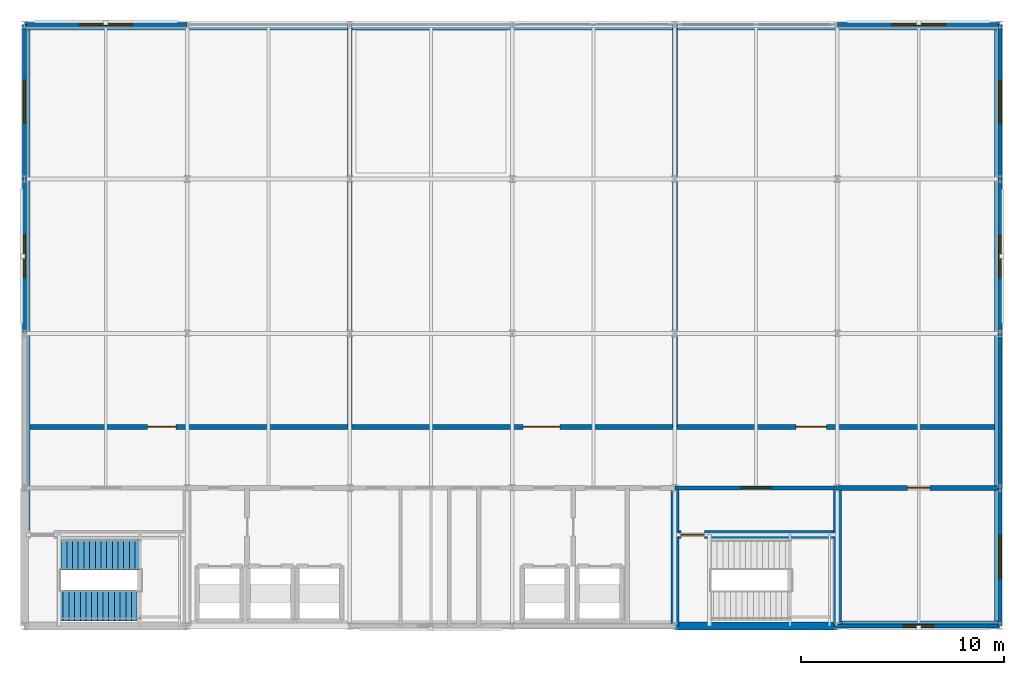
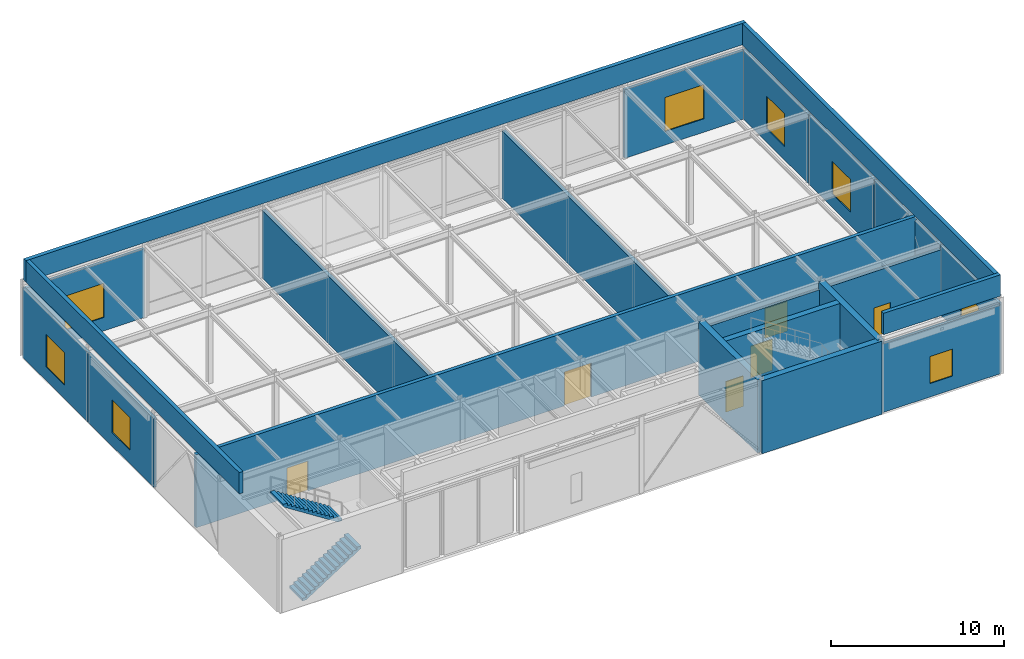
# One storey, part 10 of 12: 22 walls, 8 windows, 6 doors, 2 stair flights, 14 openings, 1 element without a shape of its own.
"""IFC4 building model written with IfcOpenShell, lengths in metres."""

from ifc_helpers import new_model, si_unit, direction, frame, frame_2d, origin, place, context, subcontext, project, spatial, polyline, rectangle, outline, extrude, material, layer, layer_set, type_object, element, fill, aggregate, save


model = new_model("IFC4")

# Units and contexts
model_context = context("Model", 3, precision=1e-05, world=origin(), true_north=direction((0.0, 1.0)))
body_context = subcontext(model_context, "Body", "Model", "MODEL_VIEW")
ifc_project = project(units=[si_unit("LENGTHUNIT", "METRE"), si_unit("AREAUNIT", "SQUARE_METRE"), si_unit("VOLUMEUNIT", "CUBIC_METRE"), si_unit("PLANEANGLEUNIT", "RADIAN"), si_unit("MASSUNIT", "GRAM", prefix="KILO")], contexts=[model_context])

# Site, building, storey
site_placement = place(None, origin())
site = spatial("IfcSite", under=ifc_project, at=site_placement, CompositionType="ELEMENT")
building_placement = place(site_placement, origin())
building = spatial("IfcBuilding", under=site, at=building_placement, Name="Shalkamar Park Central Library", CompositionType="ELEMENT")
storey_placement = place(building_placement, frame((0.0, 0.0, 72.300048828125)))
storey = spatial("IfcBuildingStorey", under=building, at=storey_placement, Name="L18", CompositionType="ELEMENT", Elevation=72.300048828125)

# Wall, opening, door
ifc_material_1 = material(Name="Reinforced fire-compartment masonry wall", Category="masonry")
ifc_layer_1 = layer(ifc_material_1, 0.239990234375)
ifc_layer_set_1 = layer_set([ifc_layer_1], Name="CompartmentWall_240")
wall_type_1 = type_object("IfcWallType", Name="Compartment Wall 240", PredefinedType="PARTITIONING", material=ifc_layer_set_1)
wall_1_placement = place(storey_placement, frame((205.0, 255.199951171875, 0.0), z_axis=(0.0, 0.0, 1.0), x_axis=(1.0, 0.0, 0.0)))
wall_1 = element("IfcWall", 1, at=wall_1_placement, inside=storey, type_object=wall_type_1, Name="Interior Partition WL-INT-L18-010", PredefinedType="PARTITIONING", context=body_context, shape_type="SweptSolid", body=[
    extrude(rectangle(XDim=8.0, YDim=0.239990234375, at=frame_2d((4.0, 0.0))), origin(), (0.0, 0.0, 1.0), 4.64794921875),
])
opening_1_placement = place(wall_1_placement, frame((3.449951171875, 0.0, 0.0)))
opening_1 = element("IfcOpeningElement", 2, at=opening_1_placement, cuts=wall_1, Name="Opening DR-L18-012", PredefinedType="OPENING", context=body_context, shape_type="SweptSolid", body=[
    extrude(rectangle(XDim=1.10009765625, YDim=2.10009765625, at=frame_2d((0.550048828125, 1.050048828125))), frame((0.0, 0.134765625, 0.0), z_axis=(0.0, -1.0, 0.0), x_axis=(1.0, 0.0, 0.0)), (0.0, 0.0, 1.0), 0.269775390625),
])
ifc_material_2 = material(Name="Steel S355", Category="steel")
door_type_1 = type_object("IfcDoorType", Name="Fire Door Single 1100x2100", OperationType="NOTDEFINED", PredefinedType="DOOR", material=ifc_material_2)
door_1_placement = place(opening_1_placement, frame((1.10009765625, 0.0, 0.0), z_axis=(0.0, 0.0, 1.0), x_axis=(-1.0, 0.0, 0.0)))
door_1 = element("IfcDoor", 3, at=door_1_placement, inside=storey, type_object=door_type_1, Name="L18 Smoke Extract Fan Room Door", OperationType="SINGLE_SWING_RIGHT", OverallHeight=2.10009765625, OverallWidth=1.10009765625, PredefinedType="DOOR", context=body_context, shape_type="SweptSolid", body=[
    extrude(rectangle(XDim=1.10009765625, YDim=2.10009765625, at=frame_2d((0.550048828125, 1.050048828125))), frame((0.0, 0.02490234375, 0.0), z_axis=(0.0, -1.0, 0.0), x_axis=(1.0, 0.0, 0.0)), (0.0, 0.0, 1.0), 0.050048828125),
])
fill(opening_1, door_1)

# Wall, openings, doors
wall_2_placement = place(storey_placement, frame((165.0, 258.199951171875, 0.0), z_axis=(0.0, 0.0, 1.0), x_axis=(1.0, 0.0, 0.0)))
wall_2 = element("IfcWall", 4, at=wall_2_placement, inside=storey, type_object=wall_type_1, Name="Interior Partition WL-INT-L18-011", PredefinedType="PARTITIONING", context=body_context, shape_type="SweptSolid", body=[
    extrude(rectangle(XDim=48.0, YDim=0.239990234375, at=frame_2d((24.0, 0.0))), origin(), (0.0, 0.0, 1.0), 5.14990234375),
])
opening_2_placement = place(wall_2_placement, frame((6.06005859375, 0.0, 0.0)))
opening_2 = element("IfcOpeningElement", 5, at=opening_2_placement, cuts=wall_2, Name="Opening DR-L18-013", PredefinedType="OPENING", context=body_context, shape_type="SweptSolid", body=[
    extrude(rectangle(XDim=1.39990234375, YDim=2.10009765625, at=frame_2d((0.699951171875, 1.050048828125))), frame((0.0, 0.134765625, 0.0), z_axis=(0.0, -1.0, 0.0), x_axis=(1.0, 0.0, 0.0)), (0.0, 0.0, 1.0), 0.269775390625),
])
opening_3_placement = place(wall_2_placement, frame((24.5400390625, 0.0, 0.0)))
opening_3 = element("IfcOpeningElement", 6, at=opening_3_placement, cuts=wall_2, Name="Opening DR-L18-014", PredefinedType="OPENING", context=body_context, shape_type="SweptSolid", body=[
    extrude(rectangle(XDim=1.800048828125, YDim=2.39990234375, at=frame_2d((0.89990234375, 1.199951171875))), frame((0.0, 0.134765625, 0.0), z_axis=(0.0, -1.0, 0.0), x_axis=(1.0, 0.0, 0.0)), (0.0, 0.0, 1.0), 0.269775390625),
])
opening_4_placement = place(wall_2_placement, frame((37.9599609375, 0.0, 0.0)))
opening_4 = element("IfcOpeningElement", 7, at=opening_4_placement, cuts=wall_2, Name="Opening DR-L18-015", PredefinedType="OPENING", context=body_context, shape_type="SweptSolid", body=[
    extrude(rectangle(XDim=1.5, YDim=2.10009765625, at=frame_2d((0.75, 1.050048828125))), frame((0.0, 0.134765625, 0.0), z_axis=(0.0, -1.0, 0.0), x_axis=(1.0, 0.0, 0.0)), (0.0, 0.0, 1.0), 0.269775390625),
])
door_type_2 = type_object("IfcDoorType", Name="Fire Door Double 1400x2100", OperationType="DOUBLE_DOOR_SINGLE_SWING", PredefinedType="DOOR", material=ifc_material_2)
door_2_placement = place(opening_2_placement, origin())
door_2 = element("IfcDoor", 8, at=door_2_placement, inside=storey, type_object=door_type_2, Name="National Digital Archive Vault Door", OperationType="DOUBLE_DOOR_SINGLE_SWING", OverallHeight=2.10009765625, OverallWidth=1.39990234375, PredefinedType="DOOR", context=body_context, shape_type="SweptSolid", body=[
    extrude(rectangle(XDim=1.39990234375, YDim=2.10009765625, at=frame_2d((0.699951171875, 1.050048828125))), frame((0.0, 0.02490234375, 0.0), z_axis=(0.0, -1.0, 0.0), x_axis=(1.0, 0.0, 0.0)), (0.0, 0.0, 1.0), 0.050048828125),
])
fill(opening_2, door_2)
door_type_3 = type_object("IfcDoorType", Name="Fire Door Double 1500x2100", OperationType="DOUBLE_DOOR_SINGLE_SWING", PredefinedType="DOOR", material=ifc_material_2)
door_3_placement = place(opening_4_placement, origin())
door_3 = element("IfcDoor", 9, at=door_3_placement, inside=storey, type_object=door_type_3, Name="Upper Mechanical Plant Room Door", OperationType="DOUBLE_DOOR_SINGLE_SWING", OverallHeight=2.10009765625, OverallWidth=1.5, PredefinedType="DOOR", context=body_context, shape_type="SweptSolid", body=[
    extrude(rectangle(XDim=1.5, YDim=2.10009765625, at=frame_2d((0.75, 1.050048828125))), frame((0.0, 0.02490234375, 0.0), z_axis=(0.0, -1.0, 0.0), x_axis=(1.0, 0.0, 0.0)), (0.0, 0.0, 1.0), 0.050048828125),
])
fill(opening_4, door_3)
door_type_4 = type_object("IfcDoorType", Name="Interior Door Double 1800x2400", OperationType="DOUBLE_DOOR_SINGLE_SWING", PredefinedType="DOOR", material=ifc_material_2)
door_4_placement = place(opening_3_placement, origin())
door_4 = element("IfcDoor", 10, at=door_4_placement, inside=storey, type_object=door_type_4, Name="Belvedere Reading Salon Portal", OperationType="DOUBLE_DOOR_SINGLE_SWING", OverallHeight=2.39990234375, OverallWidth=1.800048828125, PredefinedType="DOOR", context=body_context, shape_type="SweptSolid", body=[
    extrude(rectangle(XDim=1.800048828125, YDim=2.39990234375, at=frame_2d((0.89990234375, 1.199951171875))), frame((0.0, 0.02490234375, 0.0), z_axis=(0.0, -1.0, 0.0), x_axis=(1.0, 0.0, 0.0)), (0.0, 0.0, 1.0), 0.050048828125),
])
fill(opening_3, door_4)

# Walls
for number, where, z_axis, x_axis, name in (
    (11, (181.0, 258.199951171875, 0.0), (0.0, 0.0, 1.0), (0.0, 1.0, 0.0), "Interior Partition WL-INT-L18-012"),
    (12, (197.0, 258.199951171875, 0.0), (0.0, 0.0, 1.0), (0.0, 1.0, 0.0), "Interior Partition WL-INT-L18-013"),
):
    element("IfcWall", number, at=place(storey_placement, frame(where, z_axis=z_axis, x_axis=x_axis)), inside=storey, type_object=wall_type_1, Name=name, PredefinedType="PARTITIONING", context=body_context, shape_type="SweptSolid", body=[
        extrude(rectangle(XDim=19.800048828125, YDim=0.239990234375, at=frame_2d((9.89990234375, 0.0))), origin(), (0.0, 0.0, 1.0), 4.748046875),
    ])

# Wall, opening, door
ifc_material_3 = material(Name="Fire-rated corridor partition wall", Category="masonry")
ifc_layer_2 = layer(ifc_material_3, 0.199951171875)
ifc_layer_set_2 = layer_set([ifc_layer_2], Name="CorridorFireWall_200")
wall_type_2 = type_object("IfcWallType", Name="Corridor Fire Wall 200", PredefinedType="PARTITIONING", material=ifc_layer_set_2)
wall_3_placement = place(storey_placement, frame((197.0, 255.199951171875, 0.0), z_axis=(0.0, 0.0, 1.0), x_axis=(1.0, 0.0, 0.0)))
wall_3 = element("IfcWall", 13, at=wall_3_placement, inside=storey, type_object=wall_type_2, Name="CORE-T2 Vestibule North Wall (L18)", PredefinedType="PARTITIONING", context=body_context, shape_type="SweptSolid", body=[
    extrude(rectangle(XDim=8.0, YDim=0.199951171875, at=frame_2d((4.0, 0.0))), origin(), (0.0, 0.0, 1.0), 4.64794921875),
])
opening_5_placement = place(wall_3_placement, frame((3.27490234375, 0.0, 0.0)))
opening_5 = element("IfcOpeningElement", 14, at=opening_5_placement, cuts=wall_3, Name="Opening DR-ST-T2-L18-VEST", PredefinedType="OPENING", context=body_context, shape_type="SweptSolid", body=[
    extrude(rectangle(XDim=1.449951171875, YDim=2.199951171875, at=frame_2d((0.72509765625, 1.10009765625))), frame((0.0, 0.11474609375, 0.0), z_axis=(0.0, -1.0, 0.0), x_axis=(1.0, 0.0, 0.0)), (0.0, 0.0, 1.0), 0.229736328125),
])
door_type_5 = type_object("IfcDoorType", Name="Stair Vestibule Door 1450x2200", OperationType="DOUBLE_DOOR_SINGLE_SWING", PredefinedType="DOOR", material=ifc_material_2)
door_5_placement = place(opening_5_placement, frame((1.449951171875, 0.0, 0.0), z_axis=(0.0, 0.0, 1.0), x_axis=(-1.0, 0.0, 0.0)))
door_5 = element("IfcDoor", 15, at=door_5_placement, inside=storey, type_object=door_type_5, Name="Protected Stair ST-T2 Vestibule Door (L18)", OperationType="DOUBLE_DOOR_SINGLE_SWING", OverallHeight=2.199951171875, OverallWidth=1.449951171875, PredefinedType="DOOR", context=body_context, shape_type="SweptSolid", body=[
    extrude(rectangle(XDim=1.449951171875, YDim=2.199951171875, at=frame_2d((0.72509765625, 1.10009765625))), frame((0.0, 0.02490234375, 0.0), z_axis=(0.0, -1.0, 0.0), x_axis=(1.0, 0.0, 0.0)), (0.0, 0.0, 1.0), 0.050048828125),
])
fill(opening_5, door_5)

# Walls
ifc_material_4 = material(Name="Concrete C35/45 precast", Category="concrete")
ifc_layer_3 = layer(ifc_material_4, 0.260009765625)
ifc_layer_set_3 = layer_set([ifc_layer_3], Name="Concrete C35/45 precast")
wall_type_3 = type_object("IfcWallType", Name="Crown Keystone Parapet 260", PredefinedType="PARAPET", material=ifc_layer_set_3)
wall_4_placement = place(storey_placement, frame((205.219970703125, 248.530029296875, 5.39990234375), z_axis=(0.0, 0.0, 1.0), x_axis=(1.0, 0.0, 0.0)))
element("IfcWall", 16, at=wall_4_placement, inside=storey, type_object=wall_type_3, Name="Roof Parapet Wall L18-39", PredefinedType="PARAPET", context=body_context, shape_type="SweptSolid", body=[
    extrude(rectangle(XDim=7.780029296875, YDim=0.260009765625, at=frame_2d((3.89013671875, 0.0))), origin(), (0.0, 0.0, 1.0), 1.5),
])
wall_5_placement = place(storey_placement, frame((165.0, 277.8701171875, 5.39990234375), z_axis=(0.0, 0.0, 1.0), x_axis=(1.0, 0.0, 0.0)))
element("IfcWall", 17, at=wall_5_placement, inside=storey, type_object=wall_type_3, Name="Roof Parapet Wall L18-40", PredefinedType="PARAPET", context=body_context, shape_type="SweptSolid", body=[
    extrude(rectangle(XDim=48.0, YDim=0.260009765625, at=frame_2d((24.0, 0.0))), origin(), (0.0, 0.0, 1.0), 1.5),
])
wall_6_placement = place(storey_placement, frame((165.1298828125, 253.1201171875, 5.39990234375), z_axis=(0.0, 0.0, 1.0), x_axis=(0.0, 1.0, 0.0)))
element("IfcWall", 18, at=wall_6_placement, inside=storey, type_object=wall_type_3, Name="Roof Parapet Wall L18-41", PredefinedType="PARAPET", context=body_context, shape_type="SweptSolid", body=[
    extrude(rectangle(XDim=24.619873046875, YDim=0.260009765625, at=frame_2d((12.31005859375, 0.0))), origin(), (0.0, 0.0, 1.0), 1.5),
])
wall_7_placement = place(storey_placement, frame((212.8701171875, 248.659912109375, 5.39990234375), z_axis=(0.0, 0.0, 1.0), x_axis=(0.0, 1.0, 0.0)))
element("IfcWall", 19, at=wall_7_placement, inside=storey, type_object=wall_type_3, Name="Roof Parapet Wall L18-42", PredefinedType="PARAPET", context=body_context, shape_type="SweptSolid", body=[
    extrude(rectangle(XDim=29.080078125, YDim=0.260009765625, at=frame_2d((14.5400390625, 0.0))), origin(), (0.0, 0.0, 1.0), 1.5),
])
ifc_material_5 = material(Name="Concrete C40/50", Category="concrete")
ifc_layer_4 = layer(ifc_material_5, 0.39990234375)
ifc_layer_set_4 = layer_set([ifc_layer_4], Name="Concrete C40/50")
wall_type_4 = type_object("IfcWallType", Name="Tower Core Shear Wall 400", PredefinedType="SHEAR", material=ifc_layer_set_4)
wall_8_placement = place(storey_placement, frame((197.0, 248.39990234375, 0.0), z_axis=(0.0, 0.0, 1.0), x_axis=(1.0, 0.0, 0.0)))
element("IfcWall", 20, at=wall_8_placement, inside=storey, type_object=wall_type_4, Name="CORE-T2 South Shear Wall (L18)", PredefinedType="SHEAR", context=body_context, shape_type="SweptSolid", body=[
    extrude(rectangle(XDim=8.0, YDim=0.39990234375, at=frame_2d((4.0, 0.0))), origin(), (0.0, 0.0, 1.0), 5.14990234375),
])
for number, where, z_axis, x_axis, name in (
    (21, (197.0, 248.39990234375, 0.0), (0.0, 0.0, 1.0), (0.0, 1.0, 0.0), "CORE-T2 West Shear Wall (L18)"),
    (22, (205.0, 248.39990234375, 0.0), (0.0, 0.0, 1.0), (0.0, 1.0, 0.0), "CORE-T2 East Shear Wall (L18)"),
):
    element("IfcWall", number, at=place(storey_placement, frame(where, z_axis=z_axis, x_axis=x_axis)), inside=storey, type_object=wall_type_4, Name=name, PredefinedType="SHEAR", context=body_context, shape_type="SweptSolid", body=[
        extrude(rectangle(XDim=6.800048828125, YDim=0.39990234375, at=frame_2d((3.39990234375, 0.0))), origin(), (0.0, 0.0, 1.0), 5.14990234375),
    ])

# Wall, opening, door
wall_9_placement = place(storey_placement, frame((197.0, 252.89990234375, 0.0), z_axis=(0.0, 0.0, 1.0), x_axis=(1.0, 0.0, 0.0)))
wall_9 = element("IfcWall", 23, at=wall_9_placement, inside=storey, type_object=wall_type_4, Name="CORE-T2 Stairwell Wall (L18)", PredefinedType="SHEAR", context=body_context, shape_type="SweptSolid", body=[
    extrude(rectangle(XDim=8.0, YDim=0.39990234375, at=frame_2d((4.0, 0.0))), origin(), (0.0, 0.0, 1.0), 5.14990234375),
])
opening_6_placement = place(wall_9_placement, frame((0.300048828125, 0.0, 0.0)))
opening_6 = element("IfcOpeningElement", 24, at=opening_6_placement, cuts=wall_9, Name="Opening DR-ST-T2-L18-IN", PredefinedType="OPENING", context=body_context, shape_type="SweptSolid", body=[
    extrude(rectangle(XDim=1.14990234375, YDim=2.14990234375, at=frame_2d((0.574951171875, 1.074951171875))), frame((0.0, 0.21484375, 0.0), z_axis=(0.0, -1.0, 0.0), x_axis=(1.0, 0.0, 0.0)), (0.0, 0.0, 1.0), 0.4296875),
])
door_type_6 = type_object("IfcDoorType", Name="Stair Core Exit Door 1150x2150", OperationType="NOTDEFINED", PredefinedType="DOOR", material=ifc_material_2)
door_6_placement = place(opening_6_placement, frame((1.14990234375, 0.0, 0.0), z_axis=(0.0, 0.0, 1.0), x_axis=(-1.0, 0.0, 0.0)))
door_6 = element("IfcDoor", 25, at=door_6_placement, inside=storey, type_object=door_type_6, Name="Protected Stair ST-T2 Exit Door (L18)", OperationType="SINGLE_SWING_RIGHT", OverallHeight=2.14990234375, OverallWidth=1.14990234375, PredefinedType="DOOR", context=body_context, shape_type="SweptSolid", body=[
    extrude(rectangle(XDim=1.14990234375, YDim=2.14990234375, at=frame_2d((0.574951171875, 1.074951171875))), frame((0.0, 0.02490234375, 0.0), z_axis=(0.0, -1.0, 0.0), x_axis=(1.0, 0.0, 0.0)), (0.0, 0.0, 1.0), 0.050048828125),
])
fill(opening_6, door_6)

# Wall, opening, window
ifc_material_6 = material(Name="Terracotta insulated wall panel", Category="masonry")
ifc_layer_5 = layer(ifc_material_6, 0.179931640625)
ifc_layer_set_5 = layer_set([ifc_layer_5], Name="TowerSpandrelWall_180")
wall_type_5 = type_object("IfcWallType", Name="Tower Spandrel Wall 180", PredefinedType="SOLIDWALL", material=ifc_layer_set_5)
wall_10_placement = place(storey_placement, frame((205.006103515625, 248.39990234375, 0.0), z_axis=(0.0, 0.0, 1.0), x_axis=(1.0, 0.0, 0.0)))
wall_10 = element("IfcWall", 26, at=wall_10_placement, inside=storey, type_object=wall_type_5, Name="Exterior Facade Wall WL-EXT-L18-296", PredefinedType="SOLIDWALL", context=body_context, shape_type="SweptSolid", body=[
    extrude(rectangle(XDim=7.98779296875, YDim=0.179931640625, at=frame_2d((3.993896484375, 0.0))), origin(), (0.0, 0.0, 1.0), 4.837890625),
])
opening_7_placement = place(wall_10_placement, frame((3.243896484375, 0.0, 0.949951171875)))
opening_7 = element("IfcOpeningElement", 27, at=opening_7_placement, cuts=wall_10, Name="Opening WN-14", PredefinedType="OPENING", context=body_context, shape_type="SweptSolid", body=[
    extrude(rectangle(XDim=1.5, YDim=1.89990234375, at=frame_2d((0.75, 0.949951171875))), frame((0.0, 0.10498046875, 0.0), z_axis=(0.0, -1.0, 0.0), x_axis=(1.0, 0.0, 0.0)), (0.0, 0.0, 1.0), 0.209716796875),
])
ifc_material_7 = material(Name="Thermally broken aluminium and triple low-e glass", Category="glass")
window_type_1 = type_object("IfcWindowType", Name="Tower Window 1500x1900", PartitioningType="SINGLE_PANEL", PredefinedType="WINDOW", material=ifc_material_7)
window_1_placement = place(opening_7_placement, origin())
window_1 = element("IfcWindow", 28, at=window_1_placement, inside=storey, type_object=window_type_1, Name="Facade Window WN-L18-217", OverallHeight=1.89990234375, OverallWidth=1.5, PartitioningType="SINGLE_PANEL", PredefinedType="WINDOW", context=body_context, shape_type="SweptSolid", body=[
    extrude(rectangle(XDim=1.5, YDim=1.89990234375, at=frame_2d((0.75, 0.949951171875))), frame((0.0, 0.030029296875, 0.0), z_axis=(0.0, -1.0, 0.0), x_axis=(1.0, 0.0, 0.0)), (0.0, 0.0, 1.0), 0.06005859375),
])
fill(opening_7, window_1)

wall_11_placement = place(storey_placement, frame((165.006103515625, 278.0, 0.0), z_axis=(0.0, 0.0, 1.0), x_axis=(1.0, 0.0, 0.0)))
wall_11 = element("IfcWall", 29, at=wall_11_placement, inside=storey, type_object=wall_type_5, Name="Exterior Facade Wall WL-EXT-L18-297", PredefinedType="SOLIDWALL", context=body_context, shape_type="SweptSolid", body=[
    extrude(rectangle(XDim=7.98779296875, YDim=0.179931640625, at=frame_2d((3.993896484375, 0.0))), origin(), (0.0, 0.0, 1.0), 4.837890625),
])
opening_8_placement = place(wall_11_placement, frame((2.694091796875, 0.0, 0.949951171875)))
opening_8 = element("IfcOpeningElement", 30, at=opening_8_placement, cuts=wall_11, Name="Opening WN-21", PredefinedType="OPENING", context=body_context, shape_type="SweptSolid", body=[
    extrude(rectangle(XDim=2.60009765625, YDim=2.39990234375, at=frame_2d((1.300048828125, 1.199951171875))), frame((0.0, 0.10498046875, 0.0), z_axis=(0.0, -1.0, 0.0), x_axis=(1.0, 0.0, 0.0)), (0.0, 0.0, 1.0), 0.209716796875),
])
window_type_2 = type_object("IfcWindowType", Name="Crown Clerestory Window 2600x2400", PartitioningType="TRIPLE_PANEL_VERTICAL", PredefinedType="WINDOW", material=ifc_material_7)
window_2_placement = place(opening_8_placement, origin())
window_2 = element("IfcWindow", 31, at=window_2_placement, inside=storey, type_object=window_type_2, Name="Facade Window WN-L18-218", OverallHeight=2.39990234375, OverallWidth=2.60009765625, PartitioningType="TRIPLE_PANEL_VERTICAL", PredefinedType="WINDOW", context=body_context, shape_type="SweptSolid", body=[
    extrude(rectangle(XDim=2.60009765625, YDim=2.39990234375, at=frame_2d((1.300048828125, 1.199951171875))), frame((0.0, 0.030029296875, 0.0), z_axis=(0.0, -1.0, 0.0), x_axis=(1.0, 0.0, 0.0)), (0.0, 0.0, 1.0), 0.06005859375),
])
fill(opening_8, window_2)

wall_12_placement = place(storey_placement, frame((205.006103515625, 278.0, 0.0), z_axis=(0.0, 0.0, 1.0), x_axis=(1.0, 0.0, 0.0)))
wall_12 = element("IfcWall", 32, at=wall_12_placement, inside=storey, type_object=wall_type_5, Name="Exterior Facade Wall WL-EXT-L18-298", PredefinedType="SOLIDWALL", context=body_context, shape_type="SweptSolid", body=[
    extrude(rectangle(XDim=7.98779296875, YDim=0.179931640625, at=frame_2d((3.993896484375, 0.0))), origin(), (0.0, 0.0, 1.0), 4.837890625),
])
opening_9_placement = place(wall_12_placement, frame((2.694091796875, 0.0, 0.949951171875)))
opening_9 = element("IfcOpeningElement", 33, at=opening_9_placement, cuts=wall_12, Name="Opening WN-21", PredefinedType="OPENING", context=body_context, shape_type="SweptSolid", body=[
    extrude(rectangle(XDim=2.60009765625, YDim=2.39990234375, at=frame_2d((1.300048828125, 1.199951171875))), frame((0.0, 0.10498046875, 0.0), z_axis=(0.0, -1.0, 0.0), x_axis=(1.0, 0.0, 0.0)), (0.0, 0.0, 1.0), 0.209716796875),
])
window_3_placement = place(opening_9_placement, origin())
window_3 = element("IfcWindow", 34, at=window_3_placement, inside=storey, type_object=window_type_2, Name="Facade Window WN-L18-219", OverallHeight=2.39990234375, OverallWidth=2.60009765625, PartitioningType="TRIPLE_PANEL_VERTICAL", PredefinedType="WINDOW", context=body_context, shape_type="SweptSolid", body=[
    extrude(rectangle(XDim=2.60009765625, YDim=2.39990234375, at=frame_2d((1.300048828125, 1.199951171875))), frame((0.0, 0.030029296875, 0.0), z_axis=(0.0, -1.0, 0.0), x_axis=(1.0, 0.0, 0.0)), (0.0, 0.0, 1.0), 0.06005859375),
])
fill(opening_9, window_3)

wall_13_placement = place(storey_placement, frame((165.0, 262.805908203125, 0.0), z_axis=(0.0, 0.0, 1.0), x_axis=(0.0, 1.0, 0.0)))
wall_13 = element("IfcWall", 35, at=wall_13_placement, inside=storey, type_object=wall_type_5, Name="Exterior Facade Wall WL-EXT-L18-300", PredefinedType="SOLIDWALL", context=body_context, shape_type="SweptSolid", body=[
    extrude(rectangle(XDim=7.588134765625, YDim=0.179931640625, at=frame_2d((3.7939453125, 0.0))), origin(), (0.0, 0.0, 1.0), 4.8779296875),
])
opening_10_placement = place(wall_13_placement, frame((2.743896484375, 0.0, 0.949951171875)))
opening_10 = element("IfcOpeningElement", 36, at=opening_10_placement, cuts=wall_13, Name="Opening WN-22", PredefinedType="OPENING", context=body_context, shape_type="SweptSolid", body=[
    extrude(rectangle(XDim=2.10009765625, YDim=2.300048828125, at=frame_2d((1.050048828125, 1.14990234375))), frame((0.0, 0.10498046875, 0.0), z_axis=(0.0, -1.0, 0.0), x_axis=(1.0, 0.0, 0.0)), (0.0, 0.0, 1.0), 0.209716796875),
])
window_type_3 = type_object("IfcWindowType", Name="Crown Clerestory Window 2100x2300", PartitioningType="DOUBLE_PANEL_VERTICAL", PredefinedType="WINDOW", material=ifc_material_7)
window_4_placement = place(opening_10_placement, origin())
window_4 = element("IfcWindow", 37, at=window_4_placement, inside=storey, type_object=window_type_3, Name="Facade Window WN-L18-220", OverallHeight=2.300048828125, OverallWidth=2.10009765625, PartitioningType="DOUBLE_PANEL_VERTICAL", PredefinedType="WINDOW", context=body_context, shape_type="SweptSolid", body=[
    extrude(rectangle(XDim=2.10009765625, YDim=2.300048828125, at=frame_2d((1.050048828125, 1.14990234375))), frame((0.0, 0.030029296875, 0.0), z_axis=(0.0, -1.0, 0.0), x_axis=(1.0, 0.0, 0.0)), (0.0, 0.0, 1.0), 0.06005859375),
])
fill(opening_10, window_4)

wall_14_placement = place(storey_placement, frame((165.0, 270.406005859375, 0.0), z_axis=(0.0, 0.0, 1.0), x_axis=(0.0, 1.0, 0.0)))
wall_14 = element("IfcWall", 38, at=wall_14_placement, inside=storey, type_object=wall_type_5, Name="Exterior Facade Wall WL-EXT-L18-301", PredefinedType="SOLIDWALL", context=body_context, shape_type="SweptSolid", body=[
    extrude(rectangle(XDim=7.587890625, YDim=0.179931640625, at=frame_2d((3.7939453125, 0.0))), origin(), (0.0, 0.0, 1.0), 4.8779296875),
])
opening_11_placement = place(wall_14_placement, frame((2.743896484375, 0.0, 0.949951171875)))
opening_11 = element("IfcOpeningElement", 39, at=opening_11_placement, cuts=wall_14, Name="Opening WN-22", PredefinedType="OPENING", context=body_context, shape_type="SweptSolid", body=[
    extrude(rectangle(XDim=2.10009765625, YDim=2.300048828125, at=frame_2d((1.050048828125, 1.14990234375))), frame((0.0, 0.10498046875, 0.0), z_axis=(0.0, -1.0, 0.0), x_axis=(1.0, 0.0, 0.0)), (0.0, 0.0, 1.0), 0.209716796875),
])
window_5_placement = place(opening_11_placement, origin())
window_5 = element("IfcWindow", 40, at=window_5_placement, inside=storey, type_object=window_type_3, Name="Facade Window WN-L18-221", OverallHeight=2.300048828125, OverallWidth=2.10009765625, PartitioningType="DOUBLE_PANEL_VERTICAL", PredefinedType="WINDOW", context=body_context, shape_type="SweptSolid", body=[
    extrude(rectangle(XDim=2.10009765625, YDim=2.300048828125, at=frame_2d((1.050048828125, 1.14990234375))), frame((0.0, 0.030029296875, 0.0), z_axis=(0.0, -1.0, 0.0), x_axis=(1.0, 0.0, 0.0)), (0.0, 0.0, 1.0), 0.06005859375),
])
fill(opening_11, window_5)

wall_15_placement = place(storey_placement, frame((213.0, 248.406005859375, 0.0), z_axis=(0.0, 0.0, 1.0), x_axis=(0.0, 1.0, 0.0)))
wall_15 = element("IfcWall", 41, at=wall_15_placement, inside=storey, type_object=wall_type_5, Name="Exterior Facade Wall WL-EXT-L18-302", PredefinedType="SOLIDWALL", context=body_context, shape_type="SweptSolid", body=[
    extrude(rectangle(XDim=6.7880859375, YDim=0.179931640625, at=frame_2d((3.39404296875, 0.0))), origin(), (0.0, 0.0, 1.0), 4.91796875),
])
opening_12_placement = place(wall_15_placement, frame((2.343994140625, 0.0, 0.949951171875)))
opening_12 = element("IfcOpeningElement", 42, at=opening_12_placement, cuts=wall_15, Name="Opening WN-22", PredefinedType="OPENING", context=body_context, shape_type="SweptSolid", body=[
    extrude(rectangle(XDim=2.10009765625, YDim=2.300048828125, at=frame_2d((1.050048828125, 1.14990234375))), frame((0.0, 0.10498046875, 0.0), z_axis=(0.0, -1.0, 0.0), x_axis=(1.0, 0.0, 0.0)), (0.0, 0.0, 1.0), 0.209716796875),
])
window_6_placement = place(opening_12_placement, origin())
window_6 = element("IfcWindow", 43, at=window_6_placement, inside=storey, type_object=window_type_3, Name="Facade Window WN-L18-222", OverallHeight=2.300048828125, OverallWidth=2.10009765625, PartitioningType="DOUBLE_PANEL_VERTICAL", PredefinedType="WINDOW", context=body_context, shape_type="SweptSolid", body=[
    extrude(rectangle(XDim=2.10009765625, YDim=2.300048828125, at=frame_2d((1.050048828125, 1.14990234375))), frame((0.0, 0.030029296875, 0.0), z_axis=(0.0, -1.0, 0.0), x_axis=(1.0, 0.0, 0.0)), (0.0, 0.0, 1.0), 0.06005859375),
])
fill(opening_12, window_6)

# Wall
wall_16_placement = place(storey_placement, frame((213.0, 255.2060546875, 0.0), z_axis=(0.0, 0.0, 1.0), x_axis=(0.0, 1.0, 0.0)))
element("IfcWall", 44, at=wall_16_placement, inside=storey, type_object=wall_type_5, Name="Exterior Facade Wall WL-EXT-L18-303", PredefinedType="SOLIDWALL", context=body_context, shape_type="SweptSolid", body=[
    extrude(rectangle(XDim=7.587890625, YDim=0.179931640625, at=frame_2d((3.7939453125, 0.0))), origin(), (0.0, 0.0, 1.0), 4.8779296875),
])

# Wall, opening, window
wall_17_placement = place(storey_placement, frame((213.0, 262.805908203125, 0.0), z_axis=(0.0, 0.0, 1.0), x_axis=(0.0, 1.0, 0.0)))
wall_17 = element("IfcWall", 45, at=wall_17_placement, inside=storey, type_object=wall_type_5, Name="Exterior Facade Wall WL-EXT-L18-304", PredefinedType="SOLIDWALL", context=body_context, shape_type="SweptSolid", body=[
    extrude(rectangle(XDim=7.588134765625, YDim=0.179931640625, at=frame_2d((3.7939453125, 0.0))), origin(), (0.0, 0.0, 1.0), 4.8779296875),
])
opening_13_placement = place(wall_17_placement, frame((2.743896484375, 0.0, 0.949951171875)))
opening_13 = element("IfcOpeningElement", 46, at=opening_13_placement, cuts=wall_17, Name="Opening WN-22", PredefinedType="OPENING", context=body_context, shape_type="SweptSolid", body=[
    extrude(rectangle(XDim=2.10009765625, YDim=2.300048828125, at=frame_2d((1.050048828125, 1.14990234375))), frame((0.0, 0.10498046875, 0.0), z_axis=(0.0, -1.0, 0.0), x_axis=(1.0, 0.0, 0.0)), (0.0, 0.0, 1.0), 0.209716796875),
])
window_7_placement = place(opening_13_placement, origin())
window_7 = element("IfcWindow", 47, at=window_7_placement, inside=storey, type_object=window_type_3, Name="Facade Window WN-L18-223", OverallHeight=2.300048828125, OverallWidth=2.10009765625, PartitioningType="DOUBLE_PANEL_VERTICAL", PredefinedType="WINDOW", context=body_context, shape_type="SweptSolid", body=[
    extrude(rectangle(XDim=2.10009765625, YDim=2.300048828125, at=frame_2d((1.050048828125, 1.14990234375))), frame((0.0, 0.030029296875, 0.0), z_axis=(0.0, -1.0, 0.0), x_axis=(1.0, 0.0, 0.0)), (0.0, 0.0, 1.0), 0.06005859375),
])
fill(opening_13, window_7)

wall_18_placement = place(storey_placement, frame((213.0, 270.406005859375, 0.0), z_axis=(0.0, 0.0, 1.0), x_axis=(0.0, 1.0, 0.0)))
wall_18 = element("IfcWall", 48, at=wall_18_placement, inside=storey, type_object=wall_type_5, Name="Exterior Facade Wall WL-EXT-L18-305", PredefinedType="SOLIDWALL", context=body_context, shape_type="SweptSolid", body=[
    extrude(rectangle(XDim=7.587890625, YDim=0.179931640625, at=frame_2d((3.7939453125, 0.0))), origin(), (0.0, 0.0, 1.0), 4.8779296875),
])
opening_14_placement = place(wall_18_placement, frame((2.743896484375, 0.0, 0.949951171875)))
opening_14 = element("IfcOpeningElement", 49, at=opening_14_placement, cuts=wall_18, Name="Opening WN-22", PredefinedType="OPENING", context=body_context, shape_type="SweptSolid", body=[
    extrude(rectangle(XDim=2.10009765625, YDim=2.300048828125, at=frame_2d((1.050048828125, 1.14990234375))), frame((0.0, 0.10498046875, 0.0), z_axis=(0.0, -1.0, 0.0), x_axis=(1.0, 0.0, 0.0)), (0.0, 0.0, 1.0), 0.209716796875),
])
window_8_placement = place(opening_14_placement, origin())
window_8 = element("IfcWindow", 50, at=window_8_placement, inside=storey, type_object=window_type_3, Name="Facade Window WN-L18-224", OverallHeight=2.300048828125, OverallWidth=2.10009765625, PartitioningType="DOUBLE_PANEL_VERTICAL", PredefinedType="WINDOW", context=body_context, shape_type="SweptSolid", body=[
    extrude(rectangle(XDim=2.10009765625, YDim=2.300048828125, at=frame_2d((1.050048828125, 1.14990234375))), frame((0.0, 0.030029296875, 0.0), z_axis=(0.0, -1.0, 0.0), x_axis=(1.0, 0.0, 0.0)), (0.0, 0.0, 1.0), 0.06005859375),
])
fill(opening_14, window_8)

# Stair, stair flights
ifc_material_8 = material(Name="Concrete C35/45", Category="concrete")
stair_type = type_object("IfcStairType", Name="Protected Dog Leg Stair 150x540", PredefinedType="TWO_STRAIGHT_RUN_STAIR", material=ifc_material_8)
stair_placement = place(storey_placement, origin())
stair = element("IfcStair", 51, at=stair_placement, inside=storey, type_object=stair_type, Name="Protected Core Stair ST-T1-L18", PredefinedType="TWO_STRAIGHT_RUN_STAIR")
stair_flight_type = type_object("IfcStairFlightType", Name="Straight Stair Flight 150x540", PredefinedType="STRAIGHT", material=ifc_material_8)
stair_flight_1_placement = place(storey_placement, frame((166.6201171875, 249.389892578125, 0.0), z_axis=(0.0, 0.0, 1.0), x_axis=(1.0, 0.0, 0.0)))
stair_flight_1 = element("IfcStairFlight", 52, at=stair_flight_1_placement, type_object=stair_flight_type, Name="ST-T1-L18 flight 1", NumberOfRisers=15, NumberOfTreads=14, PredefinedType="STRAIGHT", RiserHeight=0.18, TreadLength=0.28, context=body_context, shape_type="SweptSolid", body=[
    extrude(outline(polyline([(0.0, 0.0), (0.0, 0.179931640625), (0.280029296875, 0.179931640625), (0.280029296875, 0.360107421875), (0.56005859375, 0.360107421875), (0.56005859375, 0.5400390625), (0.840087890625, 0.5400390625), (0.840087890625, 0.719970703125), (1.1201171875, 0.719970703125), (1.1201171875, 0.89990234375), (1.39990234375, 0.89990234375), (1.39990234375, 1.080078125), (1.679931640625, 1.080078125), (1.679931640625, 1.260009765625), (1.9599609375, 1.260009765625), (1.9599609375, 1.43994140625), (2.239990234375, 1.43994140625), (2.239990234375, 1.6201171875), (2.52001953125, 1.6201171875), (2.52001953125, 1.800048828125), (2.800048828125, 1.800048828125), (2.800048828125, 1.97998046875), (3.080078125, 1.97998046875), (3.080078125, 2.159912109375), (3.360107421875, 2.159912109375), (3.360107421875, 2.340087890625), (3.639892578125, 2.340087890625), (3.639892578125, 2.52001953125), (3.919921875, 2.52001953125), (3.919921875, 2.699951171875), (3.919921875, 2.341796875), (0.277099609375, 0.0), (0.0, 0.0)])), frame((0.0, 0.75, 0.0), z_axis=(0.0, -1.0, 0.0), x_axis=(1.0, 0.0, 0.0)), (0.0, 0.0, 1.0), 1.5),
])
stair_flight_2_placement = place(storey_placement, frame((170.719970703125, 251.909912109375, 2.699951171875), z_axis=(0.0, 0.0, 1.0), x_axis=(-1.0, 0.0, 0.0)))
stair_flight_2 = element("IfcStairFlight", 53, at=stair_flight_2_placement, type_object=stair_flight_type, Name="ST-T1-L18 flight 2", NumberOfRisers=15, NumberOfTreads=14, PredefinedType="STRAIGHT", RiserHeight=0.18, TreadLength=0.28, context=body_context, shape_type="SweptSolid", body=[
    extrude(outline(polyline([(0.0, 0.0), (0.0, 0.179931640625), (0.280029296875, 0.179931640625), (0.280029296875, 0.360107421875), (0.56005859375, 0.360107421875), (0.56005859375, 0.5400390625), (0.840087890625, 0.5400390625), (0.840087890625, 0.719970703125), (1.1201171875, 0.719970703125), (1.1201171875, 0.89990234375), (1.39990234375, 0.89990234375), (1.39990234375, 1.080078125), (1.679931640625, 1.080078125), (1.679931640625, 1.260009765625), (1.9599609375, 1.260009765625), (1.9599609375, 1.43994140625), (2.239990234375, 1.43994140625), (2.239990234375, 1.6201171875), (2.52001953125, 1.6201171875), (2.52001953125, 1.800048828125), (2.800048828125, 1.800048828125), (2.800048828125, 1.97998046875), (3.080078125, 1.97998046875), (3.080078125, 2.159912109375), (3.360107421875, 2.159912109375), (3.360107421875, 2.340087890625), (3.639892578125, 2.340087890625), (3.639892578125, 2.52001953125), (3.919921875, 2.52001953125), (3.919921875, 2.699951171875), (3.919921875, 2.341796875), (0.277099609375, 0.0), (0.0, 0.0)])), frame((0.0, 0.75, 0.0), z_axis=(0.0, -1.0, 0.0), x_axis=(1.0, 0.0, 0.0)), (0.0, 0.0, 1.0), 1.5),
])
aggregate(stair, [stair_flight_1, stair_flight_2])

save(model, "model.ifc")
